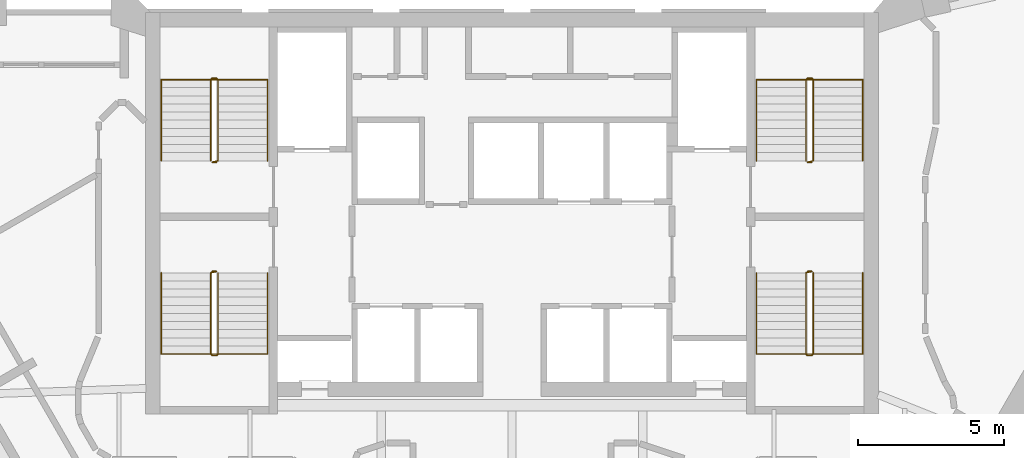
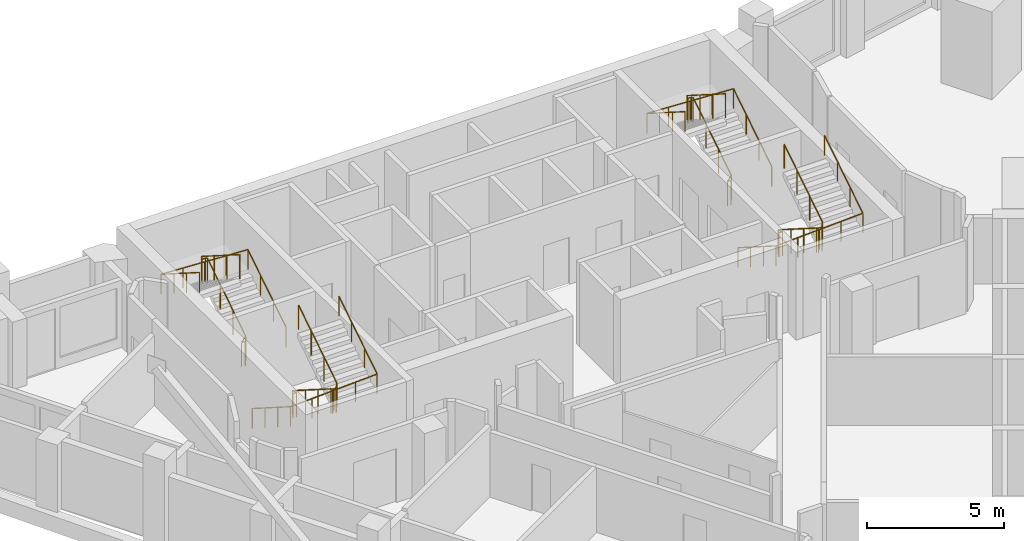
# One storey, part 8 of 8: 8 railings.
"""IFC4 building model written with IfcOpenShell, lengths in metres."""

from ifc_helpers import new_model, si_unit, direction, frame, origin, origin_2d, place, context, subcontext, project, spatial, circle, extrude, material, type_object, element, save


model = new_model("IFC4")

# Units and contexts
model_context = context("Model", 3, precision=1e-05, world=origin(), true_north=direction((0.0, 1.0)))
body_context = subcontext(model_context, "Body", "Model", "MODEL_VIEW")
ifc_project = project(units=[si_unit("LENGTHUNIT", "METRE"), si_unit("AREAUNIT", "SQUARE_METRE"), si_unit("VOLUMEUNIT", "CUBIC_METRE"), si_unit("PLANEANGLEUNIT", "RADIAN"), si_unit("MASSUNIT", "GRAM", prefix="KILO")], contexts=[model_context])

# Site, building, storey
site_placement = place(None, origin())
site = spatial("IfcSite", under=ifc_project, at=site_placement, CompositionType="ELEMENT")
building_placement = place(site_placement, origin())
building = spatial("IfcBuilding", under=site, at=building_placement, Name="Calabash Gate Tower", CompositionType="ELEMENT")
storey_placement = place(building_placement, frame((0.0, 0.0, 271.60009765625)))
storey = spatial("IfcBuildingStorey", under=building, at=storey_placement, Name="L65", CompositionType="ELEMENT", Elevation=271.60009765625)

# Railings
ifc_material_1 = material(Name="Black powder-coated steel balusters", Category="steel")
railing_type_1 = type_object("IfcRailingType", Name="Stair guard RL1100", PredefinedType="GUARDRAIL", material=ifc_material_1)
railing_1_placement = place(storey_placement, frame((-10.14990234375, 13.902587890625, 0.0)))
element("IfcRailing", 1, at=railing_1_placement, inside=storey, type_object=railing_type_1, Name="L65 ST1 stair guard 1", PredefinedType="GUARDRAIL", context=body_context, shape_type="SweptSolid", body=[
    extrude(circle(Radius=0.02392578125, at=origin_2d()), frame((0.0, 0.0, 1.076171875), z_axis=(-1.0, 0.0, 0.0), x_axis=(0.0, -1.0, 0.0)), (0.0, 0.0, 1.0), 0.150146484375),
    extrude(circle(Radius=0.02392578125, at=origin_2d()), frame((-0.150146484375, 0.0, 1.076171875), z_axis=(0.735524641326, 0.184105679453, 0.652003528208), x_axis=(-0.242814311512, 0.970072785993, 0.0)), (0.0, 0.0, 1.0), 0.271728515625),
    extrude(circle(Radius=0.02392578125, at=origin_2d()), frame((0.0498046875, 0.050048828125, 1.25341796875), z_axis=(0.0, 0.844041424197, 0.536277982245), x_axis=(-1.0, 0.0, 0.0)), (0.0, 0.0, 1.0), 3.3056640625),
    extrude(circle(Radius=0.02392578125, at=origin_2d()), frame((0.0498046875, 2.840087890625, 3.02587890625), z_axis=(-0.707106781187, 0.707106781187, 0.0), x_axis=(-0.707106781187, -0.707106781187, 0.0)), (0.0, 0.0, 1.0), 0.0703125),
    extrude(circle(Radius=0.02392578125, at=origin_2d()), frame((0.0, 2.889892578125, 3.02587890625), z_axis=(-1.0, 0.0, 0.0), x_axis=(0.0, -1.0, 0.0)), (0.0, 0.0, 1.0), 0.150146484375),
    extrude(circle(Radius=0.02392578125, at=origin_2d()), frame((-0.150146484375, 2.889892578125, 3.02587890625), z_axis=(-0.262321481514, -0.261041864531, 0.929001929653), x_axis=(0.705375805398, -0.708833529934, 0.0)), (0.0, 0.0, 1.0), 0.190673828125),
    extrude(circle(Radius=0.02392578125, at=origin_2d()), frame((-0.2001953125, 2.840087890625, 3.203125), z_axis=(0.0, -0.844041424197, 0.536277982245), x_axis=(1.0, 0.0, 0.0)), (0.0, 0.0, 1.0), 3.3056640625),
    extrude(circle(Radius=0.02099609375, at=origin_2d()), origin(), (0.0, 0.0, 1.0), 1.052001953125),
    extrude(circle(Radius=0.02099609375, at=origin_2d()), frame((-0.150146484375, 0.0, 0.0)), (0.0, 0.0, 1.0), 1.052001953125),
    extrude(circle(Radius=0.02099609375, at=origin_2d()), frame((0.0498046875, 0.050048828125, 0.17724609375)), (0.0, 0.0, 1.0), 1.052001953125),
    extrude(circle(Radius=0.02099609375, at=origin_2d()), frame((0.0498046875, 0.97998046875, 0.76806640625)), (0.0, 0.0, 1.0), 1.052001953125),
    extrude(circle(Radius=0.02099609375, at=origin_2d()), frame((0.0498046875, 1.91015625, 1.359130859375)), (0.0, 0.0, 1.0), 1.052001953125),
    extrude(circle(Radius=0.02099609375, at=origin_2d()), frame((0.0498046875, 2.840087890625, 1.949951171875)), (0.0, 0.0, 1.0), 1.052001953125),
    extrude(circle(Radius=0.02099609375, at=origin_2d()), frame((0.0, 2.889892578125, 1.949951171875)), (0.0, 0.0, 1.0), 1.052001953125),
    extrude(circle(Radius=0.02099609375, at=origin_2d()), frame((-0.150146484375, 2.889892578125, 1.949951171875)), (0.0, 0.0, 1.0), 1.052001953125),
    extrude(circle(Radius=0.02099609375, at=origin_2d()), frame((-0.2001953125, 2.840087890625, 2.127197265625)), (0.0, 0.0, 1.0), 1.052001953125),
    extrude(circle(Radius=0.02099609375, at=origin_2d()), frame((-0.2001953125, 1.91015625, 2.718017578125)), (0.0, 0.0, 1.0), 1.052001953125),
    extrude(circle(Radius=0.02099609375, at=origin_2d()), frame((-0.2001953125, 0.97998046875, 3.30908203125)), (0.0, 0.0, 1.0), 1.052001953125),
    extrude(circle(Radius=0.02099609375, at=origin_2d()), frame((-0.2001953125, 0.050048828125, 3.89990234375)), (0.0, 0.0, 1.0), 1.052001953125),
])
railing_2_placement = place(storey_placement, frame((-10.300048828125, 10.152587890625, 0.0)))
element("IfcRailing", 2, at=railing_2_placement, inside=storey, type_object=railing_type_1, Name="L65 ST2 stair guard 1", PredefinedType="GUARDRAIL", context=body_context, shape_type="SweptSolid", body=[
    extrude(circle(Radius=0.02392578125, at=origin_2d()), frame((0.0, 0.0, 1.076171875), z_axis=(1.0, 0.0, 0.0), x_axis=(0.0, 1.0, 0.0)), (0.0, 0.0, 1.0), 0.150146484375),
    extrude(circle(Radius=0.02392578125, at=origin_2d()), frame((0.150146484375, 0.0, 1.076171875), z_axis=(-0.735936453418, -0.183984113355, 0.651573006319), x_axis=(0.242535625036, -0.970142500145, 0.0)), (0.0, 0.0, 1.0), 0.27197265625),
    extrude(circle(Radius=0.02392578125, at=origin_2d()), frame((-0.050048828125, -0.050048828125, 1.25341796875), z_axis=(0.0, -0.844041424197, 0.536277982245), x_axis=(1.0, 0.0, 0.0)), (0.0, 0.0, 1.0), 3.3056640625),
    extrude(circle(Radius=0.02392578125, at=origin_2d()), frame((-0.050048828125, -2.840087890625, 3.02587890625), z_axis=(0.708833529934, -0.705375805398, 0.0), x_axis=(0.705375805398, 0.708833529934, 0.0)), (0.0, 0.0, 1.0), 0.070556640625),
    extrude(circle(Radius=0.02392578125, at=origin_2d()), frame((0.0, -2.889892578125, 3.02587890625), z_axis=(1.0, 0.0, 0.0), x_axis=(0.0, 1.0, 0.0)), (0.0, 0.0, 1.0), 0.150146484375),
    extrude(circle(Radius=0.02392578125, at=origin_2d()), frame((0.150146484375, -2.889892578125, 3.02587890625), z_axis=(0.261129318932, 0.261129318932, 0.929313164433), x_axis=(-0.707106781187, 0.707106781187, 0.0)), (0.0, 0.0, 1.0), 0.190673828125),
    extrude(circle(Radius=0.02392578125, at=origin_2d()), frame((0.199951171875, -2.840087890625, 3.203125), z_axis=(0.0, 0.844041424197, 0.536277982245), x_axis=(-1.0, 0.0, 0.0)), (0.0, 0.0, 1.0), 3.3056640625),
    extrude(circle(Radius=0.02099609375, at=origin_2d()), origin(), (0.0, 0.0, 1.0), 1.052001953125),
    extrude(circle(Radius=0.02099609375, at=origin_2d()), frame((0.150146484375, 0.0, 0.0)), (0.0, 0.0, 1.0), 1.052001953125),
    extrude(circle(Radius=0.02099609375, at=origin_2d()), frame((-0.050048828125, -0.050048828125, 0.17724609375)), (0.0, 0.0, 1.0), 1.052001953125),
    extrude(circle(Radius=0.02099609375, at=origin_2d()), frame((-0.050048828125, -0.97998046875, 0.76806640625)), (0.0, 0.0, 1.0), 1.052001953125),
    extrude(circle(Radius=0.02099609375, at=origin_2d()), frame((-0.050048828125, -1.91015625, 1.359130859375)), (0.0, 0.0, 1.0), 1.052001953125),
    extrude(circle(Radius=0.02099609375, at=origin_2d()), frame((-0.050048828125, -2.840087890625, 1.949951171875)), (0.0, 0.0, 1.0), 1.052001953125),
    extrude(circle(Radius=0.02099609375, at=origin_2d()), frame((0.0, -2.889892578125, 1.949951171875)), (0.0, 0.0, 1.0), 1.052001953125),
    extrude(circle(Radius=0.02099609375, at=origin_2d()), frame((0.150146484375, -2.889892578125, 1.949951171875)), (0.0, 0.0, 1.0), 1.052001953125),
    extrude(circle(Radius=0.02099609375, at=origin_2d()), frame((0.199951171875, -2.840087890625, 2.127197265625)), (0.0, 0.0, 1.0), 1.052001953125),
    extrude(circle(Radius=0.02099609375, at=origin_2d()), frame((0.199951171875, -1.91015625, 2.718017578125)), (0.0, 0.0, 1.0), 1.052001953125),
    extrude(circle(Radius=0.02099609375, at=origin_2d()), frame((0.199951171875, -0.97998046875, 3.30908203125)), (0.0, 0.0, 1.0), 1.052001953125),
    extrude(circle(Radius=0.02099609375, at=origin_2d()), frame((0.199951171875, -0.050048828125, 3.89990234375)), (0.0, 0.0, 1.0), 1.052001953125),
])
railing_3_placement = place(storey_placement, frame((10.300048828125, 13.902587890625, 0.0)))
element("IfcRailing", 3, at=railing_3_placement, inside=storey, type_object=railing_type_1, Name="L65 ST3 stair guard 1", PredefinedType="GUARDRAIL", context=body_context, shape_type="SweptSolid", body=[
    extrude(circle(Radius=0.02392578125, at=origin_2d()), frame((0.0, 0.0, 1.076171875), z_axis=(-1.0, 0.0, 0.0), x_axis=(0.0, -1.0, 0.0)), (0.0, 0.0, 1.0), 0.150146484375),
    extrude(circle(Radius=0.02392578125, at=origin_2d()), frame((-0.150146484375, 0.0, 1.076171875), z_axis=(0.735936453418, 0.183984113355, 0.651573006319), x_axis=(-0.242535625036, 0.970142500145, 0.0)), (0.0, 0.0, 1.0), 0.27197265625),
    extrude(circle(Radius=0.02392578125, at=origin_2d()), frame((0.050048828125, 0.050048828125, 1.25341796875), z_axis=(0.0, 0.844041424197, 0.536277982245), x_axis=(-1.0, 0.0, 0.0)), (0.0, 0.0, 1.0), 3.3056640625),
    extrude(circle(Radius=0.02392578125, at=origin_2d()), frame((0.050048828125, 2.840087890625, 3.02587890625), z_axis=(-0.708833529934, 0.705375805398, 0.0), x_axis=(-0.705375805398, -0.708833529934, 0.0)), (0.0, 0.0, 1.0), 0.070556640625),
    extrude(circle(Radius=0.02392578125, at=origin_2d()), frame((0.0, 2.889892578125, 3.02587890625), z_axis=(-1.0, 0.0, 0.0), x_axis=(0.0, -1.0, 0.0)), (0.0, 0.0, 1.0), 0.150146484375),
    extrude(circle(Radius=0.02392578125, at=origin_2d()), frame((-0.150146484375, 2.889892578125, 3.02587890625), z_axis=(-0.261129318932, -0.261129318932, 0.929313164433), x_axis=(0.707106781187, -0.707106781187, 0.0)), (0.0, 0.0, 1.0), 0.190673828125),
    extrude(circle(Radius=0.02392578125, at=origin_2d()), frame((-0.199951171875, 2.840087890625, 3.203125), z_axis=(0.0, -0.844041424197, 0.536277982245), x_axis=(1.0, 0.0, 0.0)), (0.0, 0.0, 1.0), 3.3056640625),
    extrude(circle(Radius=0.02099609375, at=origin_2d()), origin(), (0.0, 0.0, 1.0), 1.052001953125),
    extrude(circle(Radius=0.02099609375, at=origin_2d()), frame((-0.150146484375, 0.0, 0.0)), (0.0, 0.0, 1.0), 1.052001953125),
    extrude(circle(Radius=0.02099609375, at=origin_2d()), frame((0.050048828125, 0.050048828125, 0.17724609375)), (0.0, 0.0, 1.0), 1.052001953125),
    extrude(circle(Radius=0.02099609375, at=origin_2d()), frame((0.050048828125, 0.97998046875, 0.76806640625)), (0.0, 0.0, 1.0), 1.052001953125),
    extrude(circle(Radius=0.02099609375, at=origin_2d()), frame((0.050048828125, 1.91015625, 1.359130859375)), (0.0, 0.0, 1.0), 1.052001953125),
    extrude(circle(Radius=0.02099609375, at=origin_2d()), frame((0.050048828125, 2.840087890625, 1.949951171875)), (0.0, 0.0, 1.0), 1.052001953125),
    extrude(circle(Radius=0.02099609375, at=origin_2d()), frame((0.0, 2.889892578125, 1.949951171875)), (0.0, 0.0, 1.0), 1.052001953125),
    extrude(circle(Radius=0.02099609375, at=origin_2d()), frame((-0.150146484375, 2.889892578125, 1.949951171875)), (0.0, 0.0, 1.0), 1.052001953125),
    extrude(circle(Radius=0.02099609375, at=origin_2d()), frame((-0.199951171875, 2.840087890625, 2.127197265625)), (0.0, 0.0, 1.0), 1.052001953125),
    extrude(circle(Radius=0.02099609375, at=origin_2d()), frame((-0.199951171875, 1.91015625, 2.718017578125)), (0.0, 0.0, 1.0), 1.052001953125),
    extrude(circle(Radius=0.02099609375, at=origin_2d()), frame((-0.199951171875, 0.97998046875, 3.30908203125)), (0.0, 0.0, 1.0), 1.052001953125),
    extrude(circle(Radius=0.02099609375, at=origin_2d()), frame((-0.199951171875, 0.050048828125, 3.89990234375)), (0.0, 0.0, 1.0), 1.052001953125),
])
railing_4_placement = place(storey_placement, frame((10.14990234375, 10.152587890625, 0.0)))
element("IfcRailing", 4, at=railing_4_placement, inside=storey, type_object=railing_type_1, Name="L65 ST4 stair guard 1", PredefinedType="GUARDRAIL", context=body_context, shape_type="SweptSolid", body=[
    extrude(circle(Radius=0.02392578125, at=origin_2d()), frame((0.0, 0.0, 1.076171875), z_axis=(1.0, 0.0, 0.0), x_axis=(0.0, 1.0, 0.0)), (0.0, 0.0, 1.0), 0.150146484375),
    extrude(circle(Radius=0.02392578125, at=origin_2d()), frame((0.150146484375, 0.0, 1.076171875), z_axis=(-0.735524641326, -0.184105679453, 0.652003528208), x_axis=(0.242814311512, -0.970072785993, 0.0)), (0.0, 0.0, 1.0), 0.271728515625),
    extrude(circle(Radius=0.02392578125, at=origin_2d()), frame((-0.0498046875, -0.050048828125, 1.25341796875), z_axis=(0.0, -0.844041424197, 0.536277982245), x_axis=(1.0, 0.0, 0.0)), (0.0, 0.0, 1.0), 3.3056640625),
    extrude(circle(Radius=0.02392578125, at=origin_2d()), frame((-0.0498046875, -2.840087890625, 3.02587890625), z_axis=(0.707106781187, -0.707106781187, 0.0), x_axis=(0.707106781187, 0.707106781187, 0.0)), (0.0, 0.0, 1.0), 0.0703125),
    extrude(circle(Radius=0.02392578125, at=origin_2d()), frame((0.0, -2.889892578125, 3.02587890625), z_axis=(1.0, 0.0, 0.0), x_axis=(0.0, 1.0, 0.0)), (0.0, 0.0, 1.0), 0.150146484375),
    extrude(circle(Radius=0.02392578125, at=origin_2d()), frame((0.150146484375, -2.889892578125, 3.02587890625), z_axis=(0.262321481514, 0.261041864531, 0.929001929653), x_axis=(-0.705375805398, 0.708833529934, 0.0)), (0.0, 0.0, 1.0), 0.190673828125),
    extrude(circle(Radius=0.02392578125, at=origin_2d()), frame((0.2001953125, -2.840087890625, 3.203125), z_axis=(0.0, 0.844041424197, 0.536277982245), x_axis=(-1.0, 0.0, 0.0)), (0.0, 0.0, 1.0), 3.3056640625),
    extrude(circle(Radius=0.02099609375, at=origin_2d()), origin(), (0.0, 0.0, 1.0), 1.052001953125),
    extrude(circle(Radius=0.02099609375, at=origin_2d()), frame((0.150146484375, 0.0, 0.0)), (0.0, 0.0, 1.0), 1.052001953125),
    extrude(circle(Radius=0.02099609375, at=origin_2d()), frame((-0.0498046875, -0.050048828125, 0.17724609375)), (0.0, 0.0, 1.0), 1.052001953125),
    extrude(circle(Radius=0.02099609375, at=origin_2d()), frame((-0.0498046875, -0.97998046875, 0.76806640625)), (0.0, 0.0, 1.0), 1.052001953125),
    extrude(circle(Radius=0.02099609375, at=origin_2d()), frame((-0.0498046875, -1.91015625, 1.359130859375)), (0.0, 0.0, 1.0), 1.052001953125),
    extrude(circle(Radius=0.02099609375, at=origin_2d()), frame((-0.0498046875, -2.840087890625, 1.949951171875)), (0.0, 0.0, 1.0), 1.052001953125),
    extrude(circle(Radius=0.02099609375, at=origin_2d()), frame((0.0, -2.889892578125, 1.949951171875)), (0.0, 0.0, 1.0), 1.052001953125),
    extrude(circle(Radius=0.02099609375, at=origin_2d()), frame((0.150146484375, -2.889892578125, 1.949951171875)), (0.0, 0.0, 1.0), 1.052001953125),
    extrude(circle(Radius=0.02099609375, at=origin_2d()), frame((0.2001953125, -2.840087890625, 2.127197265625)), (0.0, 0.0, 1.0), 1.052001953125),
    extrude(circle(Radius=0.02099609375, at=origin_2d()), frame((0.2001953125, -1.91015625, 2.718017578125)), (0.0, 0.0, 1.0), 1.052001953125),
    extrude(circle(Radius=0.02099609375, at=origin_2d()), frame((0.2001953125, -0.97998046875, 3.30908203125)), (0.0, 0.0, 1.0), 1.052001953125),
    extrude(circle(Radius=0.02099609375, at=origin_2d()), frame((0.2001953125, -0.050048828125, 3.89990234375)), (0.0, 0.0, 1.0), 1.052001953125),
])
ifc_material_2 = material(Name="Black powder-coated steel tube 48 mm", Category="steel")
railing_type_2 = type_object("IfcRailingType", Name="Stair handrail RL900", PredefinedType="HANDRAIL", material=ifc_material_2)
railing_5_placement = place(storey_placement, frame((-8.39990234375, 13.95263671875, 0.17724609375)))
element("IfcRailing", 5, at=railing_5_placement, inside=storey, type_object=railing_type_2, Name="L65 ST1 stair handrail 1", PredefinedType="HANDRAIL", context=body_context, shape_type="SweptSolid", body=[
    extrude(circle(Radius=0.02392578125, at=origin_2d()), frame((0.0, 0.0, 0.8759765625), z_axis=(0.0, 0.844041424197, 0.536277982245), x_axis=(-1.0, 0.0, 0.0)), (0.0, 0.0, 1.0), 3.3056640625),
    extrude(circle(Radius=0.02392578125, at=origin_2d()), frame((0.0, 2.7900390625, 2.6484375), z_axis=(-0.998823110844, 0.0, 0.048501476722), x_axis=(0.0, -1.0, 0.0)), (0.0, 0.0, 1.0), 3.654541015625),
    extrude(circle(Radius=0.02392578125, at=origin_2d()), frame((-3.650146484375, 2.7900390625, 2.82568359375), z_axis=(0.0, -0.844041424197, 0.536277982245), x_axis=(1.0, 0.0, 0.0)), (0.0, 0.0, 1.0), 3.3056640625),
    extrude(circle(Radius=0.02099609375, at=origin_2d()), origin(), (0.0, 0.0, 1.0), 0.851806640625),
    extrude(circle(Radius=0.02099609375, at=origin_2d()), frame((0.0, 0.929931640625, 0.5908203125)), (0.0, 0.0, 1.0), 0.851806640625),
    extrude(circle(Radius=0.02099609375, at=origin_2d()), frame((0.0, 1.860107421875, 1.181884765625)), (0.0, 0.0, 1.0), 0.851806640625),
    extrude(circle(Radius=0.02099609375, at=origin_2d()), frame((0.0, 2.7900390625, 1.772705078125)), (0.0, 0.0, 1.0), 0.851806640625),
    extrude(circle(Radius=0.02099609375, at=origin_2d()), frame((-0.91259765625, 2.7900390625, 1.81689453125)), (0.0, 0.0, 1.0), 0.851806640625),
    extrude(circle(Radius=0.02099609375, at=origin_2d()), frame((-1.8251953125, 2.7900390625, 1.861328125)), (0.0, 0.0, 1.0), 0.851806640625),
    extrude(circle(Radius=0.02099609375, at=origin_2d()), frame((-2.737548828125, 2.7900390625, 1.90576171875)), (0.0, 0.0, 1.0), 0.851806640625),
    extrude(circle(Radius=0.02099609375, at=origin_2d()), frame((-3.650146484375, 2.7900390625, 1.949951171875)), (0.0, 0.0, 1.0), 0.851806640625),
    extrude(circle(Radius=0.02099609375, at=origin_2d()), frame((-3.650146484375, 1.860107421875, 2.540771484375)), (0.0, 0.0, 1.0), 0.851806640625),
    extrude(circle(Radius=0.02099609375, at=origin_2d()), frame((-3.650146484375, 0.929931640625, 3.1318359375)), (0.0, 0.0, 1.0), 0.851806640625),
    extrude(circle(Radius=0.02099609375, at=origin_2d()), frame((-3.650146484375, 0.0, 3.72265625)), (0.0, 0.0, 1.0), 0.851806640625),
])
railing_6_placement = place(storey_placement, frame((-12.050048828125, 10.1025390625, 0.17724609375)))
element("IfcRailing", 6, at=railing_6_placement, inside=storey, type_object=railing_type_2, Name="L65 ST2 stair handrail 1", PredefinedType="HANDRAIL", context=body_context, shape_type="SweptSolid", body=[
    extrude(circle(Radius=0.02392578125, at=origin_2d()), frame((0.0, 0.0, 0.8759765625), z_axis=(0.0, -0.844041424197, 0.536277982245), x_axis=(1.0, 0.0, 0.0)), (0.0, 0.0, 1.0), 3.3056640625),
    extrude(circle(Radius=0.02392578125, at=origin_2d()), frame((0.0, -2.7900390625, 2.6484375), z_axis=(0.998823110844, 0.0, 0.048501476722), x_axis=(0.0, 1.0, 0.0)), (0.0, 0.0, 1.0), 3.654541015625),
    extrude(circle(Radius=0.02392578125, at=origin_2d()), frame((3.650146484375, -2.7900390625, 2.82568359375), z_axis=(0.0, 0.844041424197, 0.536277982245), x_axis=(-1.0, 0.0, 0.0)), (0.0, 0.0, 1.0), 3.3056640625),
    extrude(circle(Radius=0.02099609375, at=origin_2d()), origin(), (0.0, 0.0, 1.0), 0.851806640625),
    extrude(circle(Radius=0.02099609375, at=origin_2d()), frame((0.0, -0.929931640625, 0.5908203125)), (0.0, 0.0, 1.0), 0.851806640625),
    extrude(circle(Radius=0.02099609375, at=origin_2d()), frame((0.0, -1.860107421875, 1.181884765625)), (0.0, 0.0, 1.0), 0.851806640625),
    extrude(circle(Radius=0.02099609375, at=origin_2d()), frame((0.0, -2.7900390625, 1.772705078125)), (0.0, 0.0, 1.0), 0.851806640625),
    extrude(circle(Radius=0.02099609375, at=origin_2d()), frame((0.91259765625, -2.7900390625, 1.81689453125)), (0.0, 0.0, 1.0), 0.851806640625),
    extrude(circle(Radius=0.02099609375, at=origin_2d()), frame((1.8251953125, -2.7900390625, 1.861328125)), (0.0, 0.0, 1.0), 0.851806640625),
    extrude(circle(Radius=0.02099609375, at=origin_2d()), frame((2.737548828125, -2.7900390625, 1.90576171875)), (0.0, 0.0, 1.0), 0.851806640625),
    extrude(circle(Radius=0.02099609375, at=origin_2d()), frame((3.650146484375, -2.7900390625, 1.949951171875)), (0.0, 0.0, 1.0), 0.851806640625),
    extrude(circle(Radius=0.02099609375, at=origin_2d()), frame((3.650146484375, -1.860107421875, 2.540771484375)), (0.0, 0.0, 1.0), 0.851806640625),
    extrude(circle(Radius=0.02099609375, at=origin_2d()), frame((3.650146484375, -0.929931640625, 3.1318359375)), (0.0, 0.0, 1.0), 0.851806640625),
    extrude(circle(Radius=0.02099609375, at=origin_2d()), frame((3.650146484375, 0.0, 3.72265625)), (0.0, 0.0, 1.0), 0.851806640625),
])
railing_7_placement = place(storey_placement, frame((12.050048828125, 13.95263671875, 0.17724609375)))
element("IfcRailing", 7, at=railing_7_placement, inside=storey, type_object=railing_type_2, Name="L65 ST3 stair handrail 1", PredefinedType="HANDRAIL", context=body_context, shape_type="SweptSolid", body=[
    extrude(circle(Radius=0.02392578125, at=origin_2d()), frame((0.0, 0.0, 0.8759765625), z_axis=(0.0, 0.844041424197, 0.536277982245), x_axis=(-1.0, 0.0, 0.0)), (0.0, 0.0, 1.0), 3.3056640625),
    extrude(circle(Radius=0.02392578125, at=origin_2d()), frame((0.0, 2.7900390625, 2.6484375), z_axis=(-0.998823110844, 0.0, 0.048501476722), x_axis=(0.0, -1.0, 0.0)), (0.0, 0.0, 1.0), 3.654541015625),
    extrude(circle(Radius=0.02392578125, at=origin_2d()), frame((-3.650146484375, 2.7900390625, 2.82568359375), z_axis=(0.0, -0.844041424197, 0.536277982245), x_axis=(1.0, 0.0, 0.0)), (0.0, 0.0, 1.0), 3.3056640625),
    extrude(circle(Radius=0.02099609375, at=origin_2d()), origin(), (0.0, 0.0, 1.0), 0.851806640625),
    extrude(circle(Radius=0.02099609375, at=origin_2d()), frame((0.0, 0.929931640625, 0.5908203125)), (0.0, 0.0, 1.0), 0.851806640625),
    extrude(circle(Radius=0.02099609375, at=origin_2d()), frame((0.0, 1.860107421875, 1.181884765625)), (0.0, 0.0, 1.0), 0.851806640625),
    extrude(circle(Radius=0.02099609375, at=origin_2d()), frame((0.0, 2.7900390625, 1.772705078125)), (0.0, 0.0, 1.0), 0.851806640625),
    extrude(circle(Radius=0.02099609375, at=origin_2d()), frame((-0.91259765625, 2.7900390625, 1.81689453125)), (0.0, 0.0, 1.0), 0.851806640625),
    extrude(circle(Radius=0.02099609375, at=origin_2d()), frame((-1.8251953125, 2.7900390625, 1.861328125)), (0.0, 0.0, 1.0), 0.851806640625),
    extrude(circle(Radius=0.02099609375, at=origin_2d()), frame((-2.737548828125, 2.7900390625, 1.90576171875)), (0.0, 0.0, 1.0), 0.851806640625),
    extrude(circle(Radius=0.02099609375, at=origin_2d()), frame((-3.650146484375, 2.7900390625, 1.949951171875)), (0.0, 0.0, 1.0), 0.851806640625),
    extrude(circle(Radius=0.02099609375, at=origin_2d()), frame((-3.650146484375, 1.860107421875, 2.540771484375)), (0.0, 0.0, 1.0), 0.851806640625),
    extrude(circle(Radius=0.02099609375, at=origin_2d()), frame((-3.650146484375, 0.929931640625, 3.1318359375)), (0.0, 0.0, 1.0), 0.851806640625),
    extrude(circle(Radius=0.02099609375, at=origin_2d()), frame((-3.650146484375, 0.0, 3.72265625)), (0.0, 0.0, 1.0), 0.851806640625),
])
railing_8_placement = place(storey_placement, frame((8.39990234375, 10.1025390625, 0.17724609375)))
element("IfcRailing", 8, at=railing_8_placement, inside=storey, type_object=railing_type_2, Name="L65 ST4 stair handrail 1", PredefinedType="HANDRAIL", context=body_context, shape_type="SweptSolid", body=[
    extrude(circle(Radius=0.02392578125, at=origin_2d()), frame((0.0, 0.0, 0.8759765625), z_axis=(0.0, -0.844041424197, 0.536277982245), x_axis=(1.0, 0.0, 0.0)), (0.0, 0.0, 1.0), 3.3056640625),
    extrude(circle(Radius=0.02392578125, at=origin_2d()), frame((0.0, -2.7900390625, 2.6484375), z_axis=(0.998823110844, 0.0, 0.048501476722), x_axis=(0.0, 1.0, 0.0)), (0.0, 0.0, 1.0), 3.654541015625),
    extrude(circle(Radius=0.02392578125, at=origin_2d()), frame((3.650146484375, -2.7900390625, 2.82568359375), z_axis=(0.0, 0.844041424197, 0.536277982245), x_axis=(-1.0, 0.0, 0.0)), (0.0, 0.0, 1.0), 3.3056640625),
    extrude(circle(Radius=0.02099609375, at=origin_2d()), origin(), (0.0, 0.0, 1.0), 0.851806640625),
    extrude(circle(Radius=0.02099609375, at=origin_2d()), frame((0.0, -0.929931640625, 0.5908203125)), (0.0, 0.0, 1.0), 0.851806640625),
    extrude(circle(Radius=0.02099609375, at=origin_2d()), frame((0.0, -1.860107421875, 1.181884765625)), (0.0, 0.0, 1.0), 0.851806640625),
    extrude(circle(Radius=0.02099609375, at=origin_2d()), frame((0.0, -2.7900390625, 1.772705078125)), (0.0, 0.0, 1.0), 0.851806640625),
    extrude(circle(Radius=0.02099609375, at=origin_2d()), frame((0.91259765625, -2.7900390625, 1.81689453125)), (0.0, 0.0, 1.0), 0.851806640625),
    extrude(circle(Radius=0.02099609375, at=origin_2d()), frame((1.8251953125, -2.7900390625, 1.861328125)), (0.0, 0.0, 1.0), 0.851806640625),
    extrude(circle(Radius=0.02099609375, at=origin_2d()), frame((2.737548828125, -2.7900390625, 1.90576171875)), (0.0, 0.0, 1.0), 0.851806640625),
    extrude(circle(Radius=0.02099609375, at=origin_2d()), frame((3.650146484375, -2.7900390625, 1.949951171875)), (0.0, 0.0, 1.0), 0.851806640625),
    extrude(circle(Radius=0.02099609375, at=origin_2d()), frame((3.650146484375, -1.860107421875, 2.540771484375)), (0.0, 0.0, 1.0), 0.851806640625),
    extrude(circle(Radius=0.02099609375, at=origin_2d()), frame((3.650146484375, -0.929931640625, 3.1318359375)), (0.0, 0.0, 1.0), 0.851806640625),
    extrude(circle(Radius=0.02099609375, at=origin_2d()), frame((3.650146484375, 0.0, 3.72265625)), (0.0, 0.0, 1.0), 0.851806640625),
])

save(model, "model.ifc")
